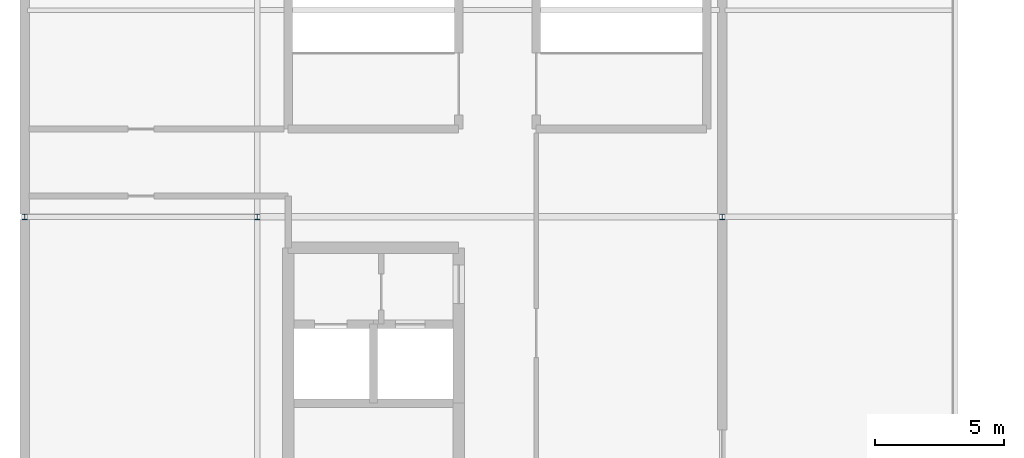
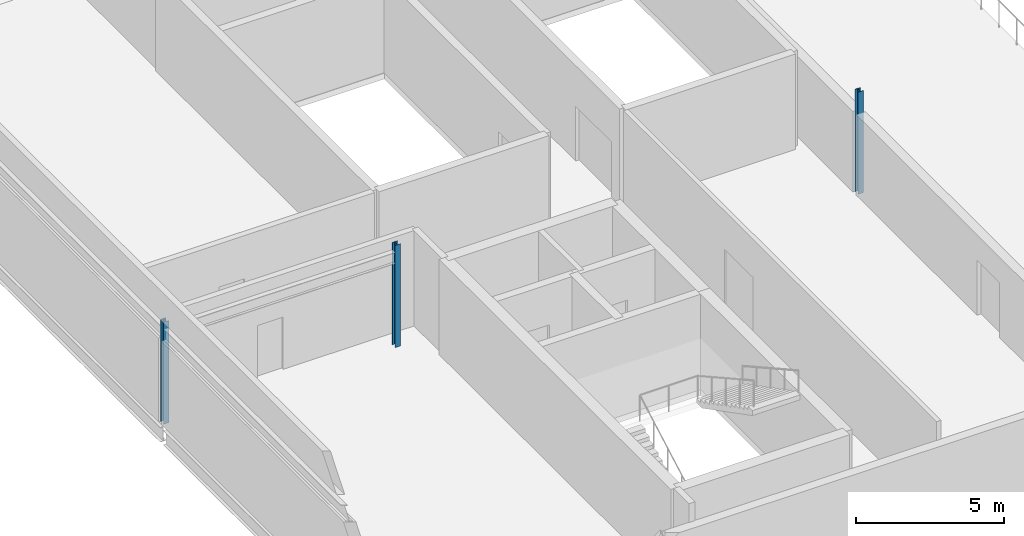
# One storey, part 2 of 23: 3 columns.
"""IFC4 building model written with IfcOpenShell, lengths in metres."""

from ifc_helpers import new_model, si_unit, direction, frame, origin, origin_2d, place, context, subcontext, project, spatial, i_section, extrude, material, material_profile, profile_set, type_object, element, save


model = new_model("IFC4")

# Units and contexts
model_context = context("Model", 3, precision=1e-05, world=origin(), true_north=direction((0.0, 1.0)))
body_context = subcontext(model_context, "Body", "Model", "MODEL_VIEW")
ifc_project = project(units=[si_unit("LENGTHUNIT", "METRE"), si_unit("AREAUNIT", "SQUARE_METRE"), si_unit("VOLUMEUNIT", "CUBIC_METRE"), si_unit("PLANEANGLEUNIT", "RADIAN"), si_unit("MASSUNIT", "GRAM", prefix="KILO")], contexts=[model_context])

# Site, building, storey
site_placement = place(None, origin())
site = spatial("IfcSite", under=ifc_project, at=site_placement, CompositionType="ELEMENT")
building_placement = place(site_placement, origin())
building = spatial("IfcBuilding", under=site, at=building_placement, Name="Kisiwana Market Hall", CompositionType="ELEMENT")
storey_placement = place(building_placement, frame((0.0, 0.0, 65.699951171875)))
storey = spatial("IfcBuildingStorey", under=building, at=storey_placement, Name="L15", CompositionType="ELEMENT", Elevation=65.699951171875)

# Columns
ifc_material = material(Name="Steel S355", Category="steel")
ifc_material_profile = material_profile(ifc_material, i_section(OverallWidth=0.205810546875, OverallDepth=0.209716796875, WebThickness=0.009521484375, FlangeThickness=0.01416015625, FilletRadius=0.01025390625, at=origin_2d()), Name="UC 203x203x60")
ifc_profile_set = profile_set([ifc_material_profile], Name="Steel S355")
column_type = type_object("IfcColumnType", Name="COL-STL-UC060", PredefinedType="COLUMN", material=ifc_profile_set)
for number, where, z_axis, x_axis, name in (
    (1, (0.0, 36.0, 0.0), (0.0, 0.0, 1.0), (1.0, 0.0, 0.0), "Column E/1 (L15) C-1481"),
    (2, (9.0, 36.0, 0.0), (0.0, 0.0, 1.0), (1.0, 0.0, 0.0), "Column E/2 (L15) C-1486"),
    (3, (27.0, 36.0, 0.0), (0.0, 0.0, 1.0), (1.0, 0.0, 0.0), "Column E/4 (L15) C-1490"),
):
    element("IfcColumn", number, at=place(storey_placement, frame(where, z_axis=z_axis, x_axis=x_axis)), inside=storey, type_object=column_type, Name=name, PredefinedType="COLUMN", context=body_context, shape_type="SweptSolid", body=[
        extrude(i_section(OverallWidth=0.205810546875, OverallDepth=0.209716796875, WebThickness=0.009521484375, FlangeThickness=0.01416015625, FilletRadius=0.01025390625, at=origin_2d()), origin(), (0.0, 0.0, 1.0), 4.199951171875),
    ])

save(model, "model.ifc")
